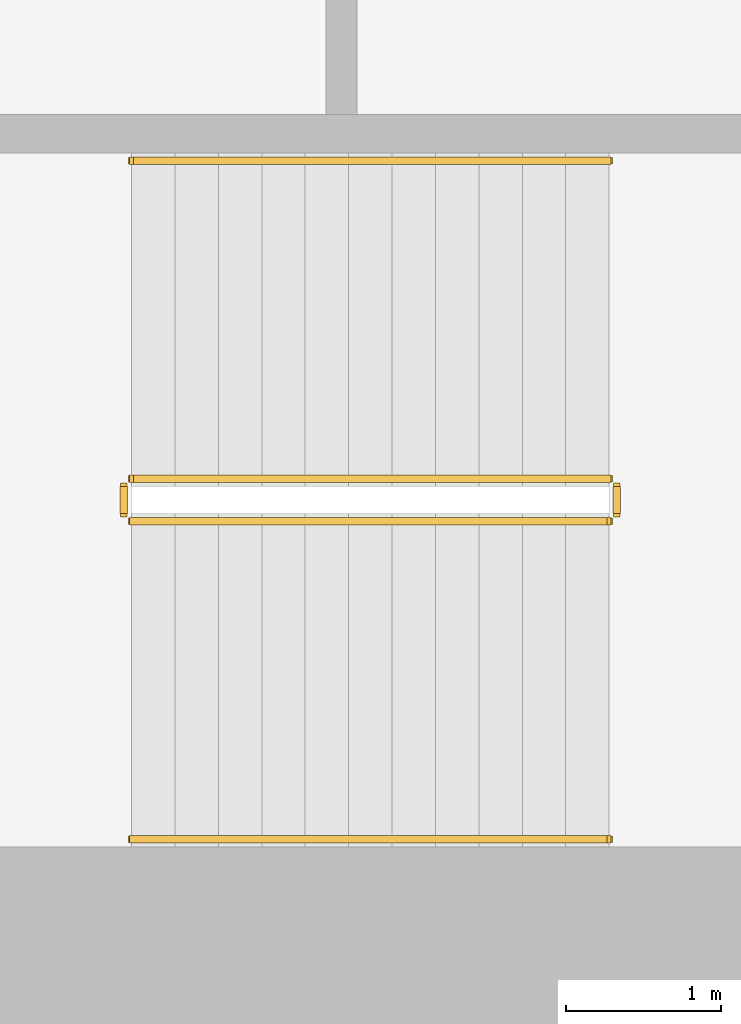
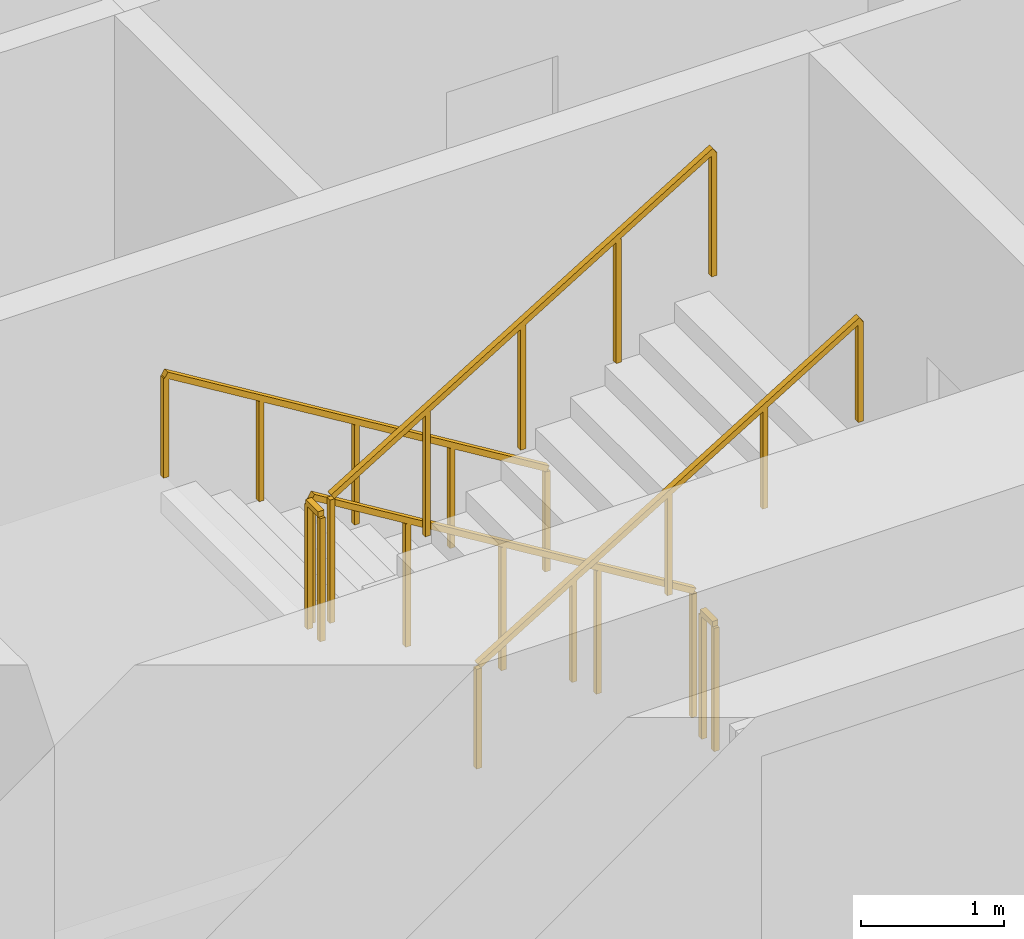
# One storey, part 11 of 15: 6 railings.
"""IFC4 building model written with IfcOpenShell, lengths in metres."""

from ifc_helpers import new_model, si_unit, direction, frame, origin, origin_2d, place, context, subcontext, project, spatial, rectangle, extrude, material, type_object, element, save


model = new_model("IFC4")

# Units and contexts
model_context = context("Model", 3, precision=1e-05, world=origin(), true_north=direction((0.0, 1.0)))
body_context = subcontext(model_context, "Body", "Model", "MODEL_VIEW")
ifc_project = project(units=[si_unit("LENGTHUNIT", "METRE"), si_unit("AREAUNIT", "SQUARE_METRE"), si_unit("VOLUMEUNIT", "CUBIC_METRE"), si_unit("PLANEANGLEUNIT", "RADIAN"), si_unit("MASSUNIT", "GRAM", prefix="KILO")], contexts=[model_context])

# Site, building, storey
site_placement = place(None, origin())
site = spatial("IfcSite", under=ifc_project, at=site_placement, CompositionType="ELEMENT")
building_placement = place(site_placement, origin())
building = spatial("IfcBuilding", under=site, at=building_placement, Name="Cypress Arch Tower", CompositionType="ELEMENT")
storey_placement = place(building_placement, frame((0.0, 0.0, 193.300048828125)))
storey = spatial("IfcBuildingStorey", under=building, at=storey_placement, Name="L42", CompositionType="ELEMENT", Elevation=193.300048828125)

# Railings
ifc_material_1 = material(Name="Black powder-coated steel square bar 48 mm", Category="steel")
railing_type_1 = type_object("IfcRailingType", Name="Stair handrail HR1", PredefinedType="HANDRAIL", material=ifc_material_1)
railing_1_placement = place(storey_placement, frame((-22.27490234375, -10.375, 0.1708984375)))
element("IfcRailing", 1, at=railing_1_placement, inside=storey, type_object=railing_type_1, Name="L42 A stair handrail 1", PredefinedType="HANDRAIL", context=body_context, shape_type="SweptSolid", body=[
    extrude(rectangle(XDim=0.048095703125, YDim=0.048095703125, at=origin_2d()), frame((0.0, 0.0, 0.8759765625), z_axis=(-0.853666305674, 0.0, 0.52082035152), x_axis=(0.0, -1.0, 0.0)), (0.0, 0.0, 1.0), 3.608154296875),
    extrude(rectangle(XDim=0.0419921875, YDim=0.0419921875, at=origin_2d()), origin(), (0.0, 0.0, 1.0), 0.851806640625),
    extrude(rectangle(XDim=0.0419921875, YDim=0.0419921875, at=origin_2d()), frame((-0.77001953125, 0.0, 0.4697265625)), (0.0, 0.0, 1.0), 0.851806640625),
    extrude(rectangle(XDim=0.0419921875, YDim=0.0419921875, at=origin_2d()), frame((-1.5400390625, 0.0, 0.939453125)), (0.0, 0.0, 1.0), 0.851806640625),
    extrude(rectangle(XDim=0.0419921875, YDim=0.0419921875, at=origin_2d()), frame((-2.31005859375, 0.0, 1.409423828125)), (0.0, 0.0, 1.0), 0.851806640625),
    extrude(rectangle(XDim=0.0419921875, YDim=0.0419921875, at=origin_2d()), frame((-3.080078125, 0.0, 1.879150390625)), (0.0, 0.0, 1.0), 0.851806640625),
])
railing_2_placement = place(storey_placement, frame((-25.35498046875, -14.75, 2.220703125)))
element("IfcRailing", 2, at=railing_2_placement, inside=storey, type_object=railing_type_1, Name="L42 A stair handrail 2", PredefinedType="HANDRAIL", context=body_context, shape_type="SweptSolid", body=[
    extrude(rectangle(XDim=0.048095703125, YDim=0.048095703125, at=origin_2d()), frame((0.0, 0.0, 0.8759765625), z_axis=(0.853666305674, 0.0, 0.52082035152), x_axis=(0.0, 1.0, 0.0)), (0.0, 0.0, 1.0), 3.608154296875),
    extrude(rectangle(XDim=0.0419921875, YDim=0.0419921875, at=origin_2d()), origin(), (0.0, 0.0, 1.0), 0.851806640625),
    extrude(rectangle(XDim=0.0419921875, YDim=0.0419921875, at=origin_2d()), frame((0.77001953125, 0.0, 0.4697265625)), (0.0, 0.0, 1.0), 0.851806640625),
    extrude(rectangle(XDim=0.0419921875, YDim=0.0419921875, at=origin_2d()), frame((1.5400390625, 0.0, 0.939453125)), (0.0, 0.0, 1.0), 0.851806640625),
    extrude(rectangle(XDim=0.0419921875, YDim=0.0419921875, at=origin_2d()), frame((2.31005859375, 0.0, 1.409423828125)), (0.0, 0.0, 1.0), 0.851806640625),
    extrude(rectangle(XDim=0.0419921875, YDim=0.0419921875, at=origin_2d()), frame((3.080078125, 0.0, 1.879150390625)), (0.0, 0.0, 1.0), 0.851806640625),
])
ifc_material_2 = material(Name="Black powder-coated steel balusters", Category="steel")
railing_type_2 = type_object("IfcRailingType", Name="Stair well guard G1", PredefinedType="GUARDRAIL", material=ifc_material_2)
railing_3_placement = place(storey_placement, frame((-22.27490234375, -12.425048828125, 0.1708984375)))
element("IfcRailing", 3, at=railing_3_placement, inside=storey, type_object=railing_type_2, Name="L42 A stair guard 1", PredefinedType="GUARDRAIL", context=body_context, shape_type="SweptSolid", body=[
    extrude(rectangle(XDim=0.048095703125, YDim=0.048095703125, at=origin_2d()), frame((0.0, 0.0, 1.076171875), z_axis=(-0.853666305674, 0.0, 0.52082035152), x_axis=(0.0, -1.0, 0.0)), (0.0, 0.0, 1.0), 3.608154296875),
    extrude(rectangle(XDim=0.0419921875, YDim=0.0419921875, at=origin_2d()), origin(), (0.0, 0.0, 1.0), 1.052001953125),
    extrude(rectangle(XDim=0.0419921875, YDim=0.0419921875, at=origin_2d()), frame((-0.77001953125, 0.0, 0.4697265625)), (0.0, 0.0, 1.0), 1.052001953125),
    extrude(rectangle(XDim=0.0419921875, YDim=0.0419921875, at=origin_2d()), frame((-1.5400390625, 0.0, 0.939453125)), (0.0, 0.0, 1.0), 1.052001953125),
    extrude(rectangle(XDim=0.0419921875, YDim=0.0419921875, at=origin_2d()), frame((-2.31005859375, 0.0, 1.409423828125)), (0.0, 0.0, 1.0), 1.052001953125),
    extrude(rectangle(XDim=0.0419921875, YDim=0.0419921875, at=origin_2d()), frame((-3.080078125, 0.0, 1.879150390625)), (0.0, 0.0, 1.0), 1.052001953125),
])
railing_4_placement = place(storey_placement, frame((-25.405029296875, -12.47509765625, 2.050048828125)))
element("IfcRailing", 4, at=railing_4_placement, inside=storey, type_object=railing_type_2, Name="L42 A stair guard 2", PredefinedType="GUARDRAIL", context=body_context, shape_type="SweptSolid", body=[
    extrude(rectangle(XDim=0.048095703125, YDim=0.048095703125, at=origin_2d()), frame((0.0, 0.0, 1.076171875), z_axis=(0.0, -1.0, 0.0), x_axis=(1.0, 0.0, 0.0)), (0.0, 0.0, 1.0), 0.1748046875),
    extrude(rectangle(XDim=0.0419921875, YDim=0.0419921875, at=origin_2d()), origin(), (0.0, 0.0, 1.0), 1.052001953125),
    extrude(rectangle(XDim=0.0419921875, YDim=0.0419921875, at=origin_2d()), frame((0.0, -0.1748046875, 0.0)), (0.0, 0.0, 1.0), 1.052001953125),
])
railing_5_placement = place(storey_placement, frame((-25.35498046875, -12.699951171875, 2.220703125)))
element("IfcRailing", 5, at=railing_5_placement, inside=storey, type_object=railing_type_2, Name="L42 A stair guard 3", PredefinedType="GUARDRAIL", context=body_context, shape_type="SweptSolid", body=[
    extrude(rectangle(XDim=0.048095703125, YDim=0.048095703125, at=origin_2d()), frame((0.0, 0.0, 1.076171875), z_axis=(0.853666305674, 0.0, 0.52082035152), x_axis=(0.0, 1.0, 0.0)), (0.0, 0.0, 1.0), 3.608154296875),
    extrude(rectangle(XDim=0.0419921875, YDim=0.0419921875, at=origin_2d()), origin(), (0.0, 0.0, 1.0), 1.052001953125),
    extrude(rectangle(XDim=0.0419921875, YDim=0.0419921875, at=origin_2d()), frame((0.77001953125, 0.0, 0.4697265625)), (0.0, 0.0, 1.0), 1.052001953125),
    extrude(rectangle(XDim=0.0419921875, YDim=0.0419921875, at=origin_2d()), frame((1.5400390625, 0.0, 0.939453125)), (0.0, 0.0, 1.0), 1.052001953125),
    extrude(rectangle(XDim=0.0419921875, YDim=0.0419921875, at=origin_2d()), frame((2.31005859375, 0.0, 1.409423828125)), (0.0, 0.0, 1.0), 1.052001953125),
    extrude(rectangle(XDim=0.0419921875, YDim=0.0419921875, at=origin_2d()), frame((3.080078125, 0.0, 1.879150390625)), (0.0, 0.0, 1.0), 1.052001953125),
])
railing_6_placement = place(storey_placement, frame((-22.22509765625, -12.47509765625, 0.0)))
element("IfcRailing", 6, at=railing_6_placement, inside=storey, type_object=railing_type_2, Name="L42 A stair guard 4", PredefinedType="GUARDRAIL", context=body_context, shape_type="SweptSolid", body=[
    extrude(rectangle(XDim=0.048095703125, YDim=0.048095703125, at=origin_2d()), frame((0.0, 0.0, 1.076171875), z_axis=(0.0, -1.0, 0.0), x_axis=(1.0, 0.0, 0.0)), (0.0, 0.0, 1.0), 0.1748046875),
    extrude(rectangle(XDim=0.0419921875, YDim=0.0419921875, at=origin_2d()), origin(), (0.0, 0.0, 1.0), 1.052001953125),
    extrude(rectangle(XDim=0.0419921875, YDim=0.0419921875, at=origin_2d()), frame((0.0, -0.1748046875, 0.0)), (0.0, 0.0, 1.0), 1.052001953125),
])

save(model, "model.ifc")
